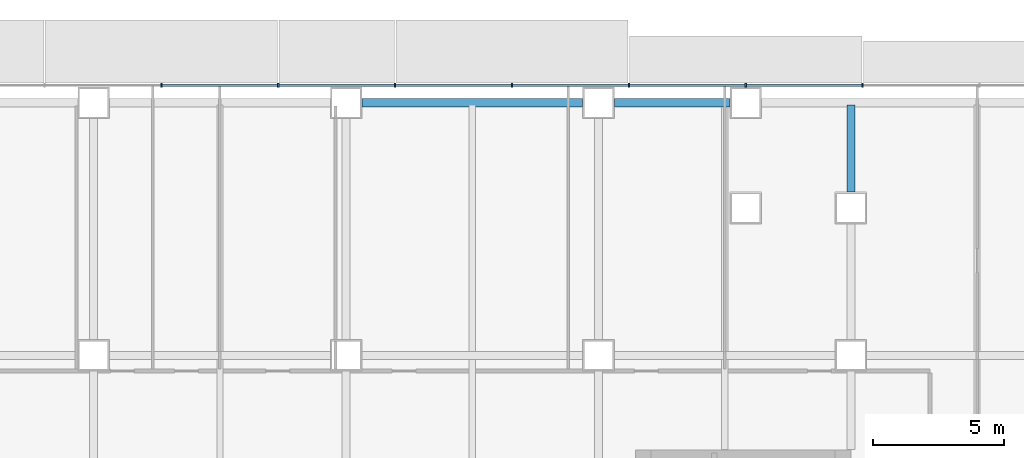
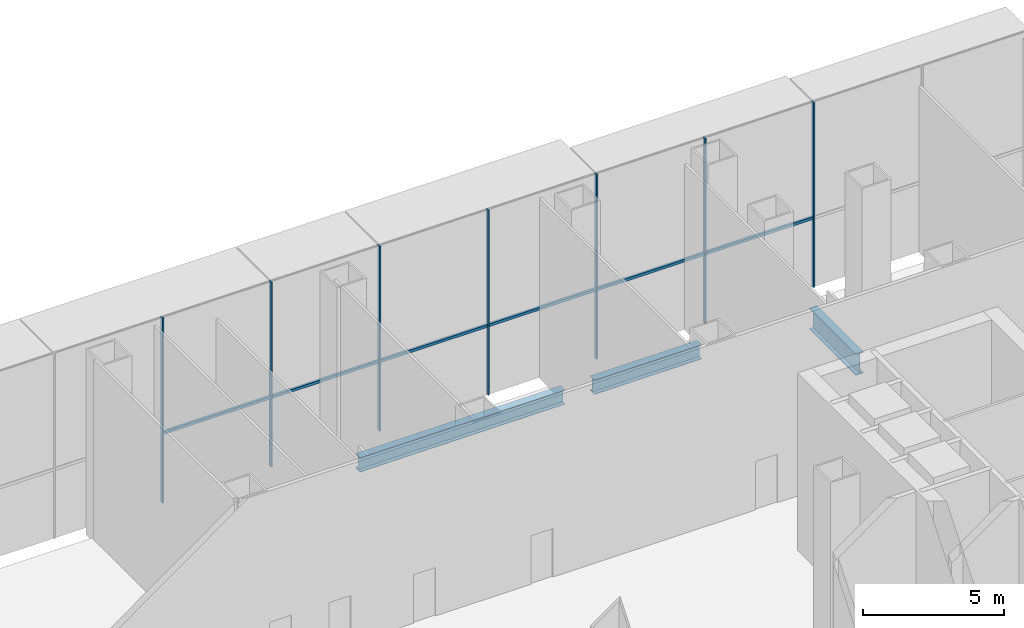
# One storey, part 10 of 24: 13 members, 3 beams, 1 element without a shape of its own.
"""IFC4 building model written with IfcOpenShell, lengths in metres."""

from ifc_helpers import new_model, si_unit, direction, frame, origin, origin_2d, place, context, subcontext, project, spatial, rectangle, i_section, extrude, material, material_profile, profile_set, type_object, element, aggregate, save


model = new_model("IFC4")

# Units and contexts
model_context = context("Model", 3, precision=1e-05, world=origin(), true_north=direction((0.0, 1.0)))
body_context = subcontext(model_context, "Body", "Model", "MODEL_VIEW")
ifc_project = project(units=[si_unit("LENGTHUNIT", "METRE"), si_unit("AREAUNIT", "SQUARE_METRE"), si_unit("VOLUMEUNIT", "CUBIC_METRE"), si_unit("PLANEANGLEUNIT", "RADIAN"), si_unit("MASSUNIT", "GRAM", prefix="KILO")], contexts=[model_context])

# Site, building, storey
site_placement = place(None, origin())
site = spatial("IfcSite", under=ifc_project, at=site_placement, CompositionType="ELEMENT")
building_placement = place(site_placement, origin())
building = spatial("IfcBuilding", under=site, at=building_placement, Name="Cobrizo Arcos Hotel Tower", CompositionType="ELEMENT")
storey_placement = place(building_placement, frame((0.0, 0.0, 7.5)))
storey = spatial("IfcBuildingStorey", under=building, at=storey_placement, Name="L01", CompositionType="ELEMENT", Elevation=7.5)

# Curtain wall, members
ifc_material_1 = material(Name="Aluminium 6063-T6 anodised bronze", Category="aluminium")
curtain_wall_type = type_object("IfcCurtainWallType", Name="CW-A guest facade", PredefinedType="NOTDEFINED", material=ifc_material_1)
curtain_wall_placement = place(storey_placement, origin())
curtain_wall = element("IfcCurtainWall", 1, at=curtain_wall_placement, inside=storey, type_object=curtain_wall_type, Name="CW-A L01 N face", PredefinedType="NOTDEFINED")
ifc_material_profile_1 = material_profile(ifc_material_1, rectangle(XDim=0.14990234375, YDim=0.06005859375, at=origin_2d()), Name="CW-A mullion 150x60")
ifc_profile_set_1 = profile_set([ifc_material_profile_1], Name="Aluminium 6063-T6 anodised bronze")
member_type_1 = type_object("IfcMemberType", Name="CW-A mullion 150x60", PredefinedType="MULLION", material=ifc_profile_set_1)
member_1_placement = place(storey_placement, frame((24.4443359375, 24.675048828125, 0.0), z_axis=(0.0, 0.0, 1.0), x_axis=(0.0, 1.0, 0.0)))
member_1 = element("IfcMember", 2, at=member_1_placement, type_object=member_type_1, Name="CW-A mullion 4", PredefinedType="MULLION", context=body_context, shape_type="SweptSolid", body=[
    extrude(rectangle(XDim=0.14990234375, YDim=0.06005859375, at=origin_2d()), origin(), (0.0, 0.0, 1.0), 8.0),
])
member_2_placement = place(storey_placement, frame((20.0, 24.675048828125, 0.0), z_axis=(0.0, 0.0, 1.0), x_axis=(0.0, 1.0, 0.0)))
member_2 = element("IfcMember", 3, at=member_2_placement, type_object=member_type_1, Name="CW-A mullion 5", PredefinedType="MULLION", context=body_context, shape_type="SweptSolid", body=[
    extrude(rectangle(XDim=0.14990234375, YDim=0.06005859375, at=origin_2d()), origin(), (0.0, 0.0, 1.0), 8.0),
])
member_3_placement = place(storey_placement, frame((15.5556640625, 24.675048828125, 0.0), z_axis=(0.0, 0.0, 1.0), x_axis=(0.0, 1.0, 0.0)))
member_3 = element("IfcMember", 4, at=member_3_placement, type_object=member_type_1, Name="CW-A mullion 6", PredefinedType="MULLION", context=body_context, shape_type="SweptSolid", body=[
    extrude(rectangle(XDim=0.14990234375, YDim=0.06005859375, at=origin_2d()), origin(), (0.0, 0.0, 1.0), 8.0),
])
member_4_placement = place(storey_placement, frame((11.111083984375, 24.675048828125, 0.0), z_axis=(0.0, 0.0, 1.0), x_axis=(0.0, 1.0, 0.0)))
member_4 = element("IfcMember", 5, at=member_4_placement, type_object=member_type_1, Name="CW-A mullion 7", PredefinedType="MULLION", context=body_context, shape_type="SweptSolid", body=[
    extrude(rectangle(XDim=0.14990234375, YDim=0.06005859375, at=origin_2d()), origin(), (0.0, 0.0, 1.0), 8.0),
])
member_5_placement = place(storey_placement, frame((6.666748046875, 24.675048828125, 0.0), z_axis=(0.0, 0.0, 1.0), x_axis=(0.0, 1.0, 0.0)))
member_5 = element("IfcMember", 6, at=member_5_placement, type_object=member_type_1, Name="CW-A mullion 8", PredefinedType="MULLION", context=body_context, shape_type="SweptSolid", body=[
    extrude(rectangle(XDim=0.14990234375, YDim=0.06005859375, at=origin_2d()), origin(), (0.0, 0.0, 1.0), 8.0),
])
member_6_placement = place(storey_placement, frame((2.22216796875, 24.675048828125, 0.0), z_axis=(0.0, 0.0, 1.0), x_axis=(0.0, 1.0, 0.0)))
member_6 = element("IfcMember", 7, at=member_6_placement, type_object=member_type_1, Name="CW-A mullion 9", PredefinedType="MULLION", context=body_context, shape_type="SweptSolid", body=[
    extrude(rectangle(XDim=0.14990234375, YDim=0.06005859375, at=origin_2d()), origin(), (0.0, 0.0, 1.0), 8.0),
])
member_7_placement = place(storey_placement, frame((-2.22216796875, 24.675048828125, 0.0), z_axis=(0.0, 0.0, 1.0), x_axis=(0.0, 1.0, 0.0)))
member_7 = element("IfcMember", 8, at=member_7_placement, type_object=member_type_1, Name="CW-A mullion 10", PredefinedType="MULLION", context=body_context, shape_type="SweptSolid", body=[
    extrude(rectangle(XDim=0.14990234375, YDim=0.06005859375, at=origin_2d()), origin(), (0.0, 0.0, 1.0), 8.0),
])
ifc_material_profile_2 = material_profile(ifc_material_1, rectangle(XDim=0.10009765625, YDim=0.1201171875, at=origin_2d()), Name="CW-A transom 120x100")
ifc_profile_set_2 = profile_set([ifc_material_profile_2], Name="Aluminium 6063-T6 anodised bronze")
member_type_2 = type_object("IfcMemberType", Name="CW-A transom 120x100", PredefinedType="USERDEFINED", material=ifc_profile_set_2)
member_8_placement = place(storey_placement, frame((24.41455078125, 24.675048828125, 3.0), z_axis=(-1.0, 0.0, 0.0), x_axis=(0.0, -1.0, 0.0)))
member_8 = element("IfcMember", 9, at=member_8_placement, type_object=member_type_2, Name="CW-A transom 66", ObjectType="TRANSOM", PredefinedType="USERDEFINED", context=body_context, shape_type="SweptSolid", body=[
    extrude(rectangle(XDim=0.10009765625, YDim=0.1201171875, at=origin_2d()), origin(), (0.0, 0.0, 1.0), 4.384521484375),
])
member_9_placement = place(storey_placement, frame((19.969970703125, 24.675048828125, 3.0), z_axis=(-1.0, 0.0, 0.0), x_axis=(0.0, -1.0, 0.0)))
member_9 = element("IfcMember", 10, at=member_9_placement, type_object=member_type_2, Name="CW-A transom 67", ObjectType="TRANSOM", PredefinedType="USERDEFINED", context=body_context, shape_type="SweptSolid", body=[
    extrude(rectangle(XDim=0.10009765625, YDim=0.1201171875, at=origin_2d()), origin(), (0.0, 0.0, 1.0), 4.384521484375),
])
member_10_placement = place(storey_placement, frame((15.525634765625, 24.675048828125, 3.0), z_axis=(-1.0, 0.0, 0.0), x_axis=(0.0, -1.0, 0.0)))
member_10 = element("IfcMember", 11, at=member_10_placement, type_object=member_type_2, Name="CW-A transom 68", ObjectType="TRANSOM", PredefinedType="USERDEFINED", context=body_context, shape_type="SweptSolid", body=[
    extrude(rectangle(XDim=0.10009765625, YDim=0.1201171875, at=origin_2d()), origin(), (0.0, 0.0, 1.0), 4.384521484375),
])
member_11_placement = place(storey_placement, frame((11.0810546875, 24.675048828125, 3.0), z_axis=(-1.0, 0.0, 0.0), x_axis=(0.0, -1.0, 0.0)))
member_11 = element("IfcMember", 12, at=member_11_placement, type_object=member_type_2, Name="CW-A transom 69", ObjectType="TRANSOM", PredefinedType="USERDEFINED", context=body_context, shape_type="SweptSolid", body=[
    extrude(rectangle(XDim=0.10009765625, YDim=0.1201171875, at=origin_2d()), origin(), (0.0, 0.0, 1.0), 4.38427734375),
])
member_12_placement = place(storey_placement, frame((6.63671875, 24.675048828125, 3.0), z_axis=(-1.0, 0.0, 0.0), x_axis=(0.0, -1.0, 0.0)))
member_12 = element("IfcMember", 13, at=member_12_placement, type_object=member_type_2, Name="CW-A transom 70", ObjectType="TRANSOM", PredefinedType="USERDEFINED", context=body_context, shape_type="SweptSolid", body=[
    extrude(rectangle(XDim=0.10009765625, YDim=0.1201171875, at=origin_2d()), origin(), (0.0, 0.0, 1.0), 4.384521484375),
])
member_13_placement = place(storey_placement, frame((2.192138671875, 24.675048828125, 3.0), z_axis=(-1.0, 0.0, 0.0), x_axis=(0.0, -1.0, 0.0)))
member_13 = element("IfcMember", 14, at=member_13_placement, type_object=member_type_2, Name="CW-A transom 71", ObjectType="TRANSOM", PredefinedType="USERDEFINED", context=body_context, shape_type="SweptSolid", body=[
    extrude(rectangle(XDim=0.10009765625, YDim=0.1201171875, at=origin_2d()), origin(), (0.0, 0.0, 1.0), 4.38427734375),
])
aggregate(curtain_wall, [member_1, member_2, member_3, member_4, member_5, member_6, member_7, member_8, member_9, member_10, member_11, member_12, member_13])

# Beams
ifc_material_2 = material(Name="Steel ASTM A992 Grade 50", Category="steel")
ifc_material_profile_3 = material_profile(ifc_material_2, i_section(OverallWidth=0.32763671875, OverallDepth=0.622314453125, WebThickness=0.015380859375, FlangeThickness=0.0244140625, at=origin_2d()), Name="W24X131")
ifc_profile_set_3 = profile_set([ifc_material_profile_3], Name="Steel ASTM A992 Grade 50")
beam_type_1 = type_object("IfcBeamType", Name="W24X131 spandrel", PredefinedType="SPANDREL", material=ifc_profile_set_3)
beam_1_placement = place(storey_placement, frame((19.39990234375, 24.0, -0.56103515625), z_axis=(-1.0, 0.0, 0.0), x_axis=(0.0, -1.0, 0.0)))
element("IfcBeam", 15, at=beam_1_placement, inside=storey, type_object=beam_type_1, Name="Spandrel beam W24X131, L01, no. 002", PredefinedType="SPANDREL", context=body_context, shape_type="SweptSolid", body=[
    extrude(i_section(OverallWidth=0.32763671875, OverallDepth=0.622314453125, WebThickness=0.015380859375, FlangeThickness=0.0244140625, at=origin_2d()), origin(), (0.0, 0.0, 1.0), 4.39990234375),
])
beam_2_placement = place(storey_placement, frame((13.800048828125, 24.0, -0.56103515625), z_axis=(-1.0, 0.0, 0.0), x_axis=(0.0, -1.0, 0.0)))
element("IfcBeam", 16, at=beam_2_placement, inside=storey, type_object=beam_type_1, Name="Spandrel beam W24X131, L01, no. 003", PredefinedType="SPANDREL", context=body_context, shape_type="SweptSolid", body=[
    extrude(i_section(OverallWidth=0.32763671875, OverallDepth=0.622314453125, WebThickness=0.015380859375, FlangeThickness=0.0244140625, at=origin_2d()), origin(), (0.0, 0.0, 1.0), 8.400146484375),
])
ifc_material_profile_4 = material_profile(ifc_material_2, i_section(OverallWidth=0.307373046875, OverallDepth=0.927001953125, WebThickness=0.01953125, FlangeThickness=0.031982421875, at=origin_2d()), Name="W36X194")
ifc_profile_set_4 = profile_set([ifc_material_profile_4], Name="Steel ASTM A992 Grade 50")
beam_type_2 = type_object("IfcBeamType", Name="W36X194 podium girder", PredefinedType="BEAM", material=ifc_profile_set_4)
beam_3_placement = place(storey_placement, frame((24.0, 20.60009765625, -0.71337890625), z_axis=(0.0, 1.0, 0.0), x_axis=(-1.0, 0.0, 0.0)))
element("IfcBeam", 17, at=beam_3_placement, inside=storey, type_object=beam_type_2, Name="Podium girder PG1, L01, no. 071", PredefinedType="BEAM", context=body_context, shape_type="SweptSolid", body=[
    extrude(i_section(OverallWidth=0.307373046875, OverallDepth=0.927001953125, WebThickness=0.01953125, FlangeThickness=0.031982421875, at=origin_2d()), origin(), (0.0, 0.0, 1.0), 3.309814453125),
])

save(model, "model.ifc")
